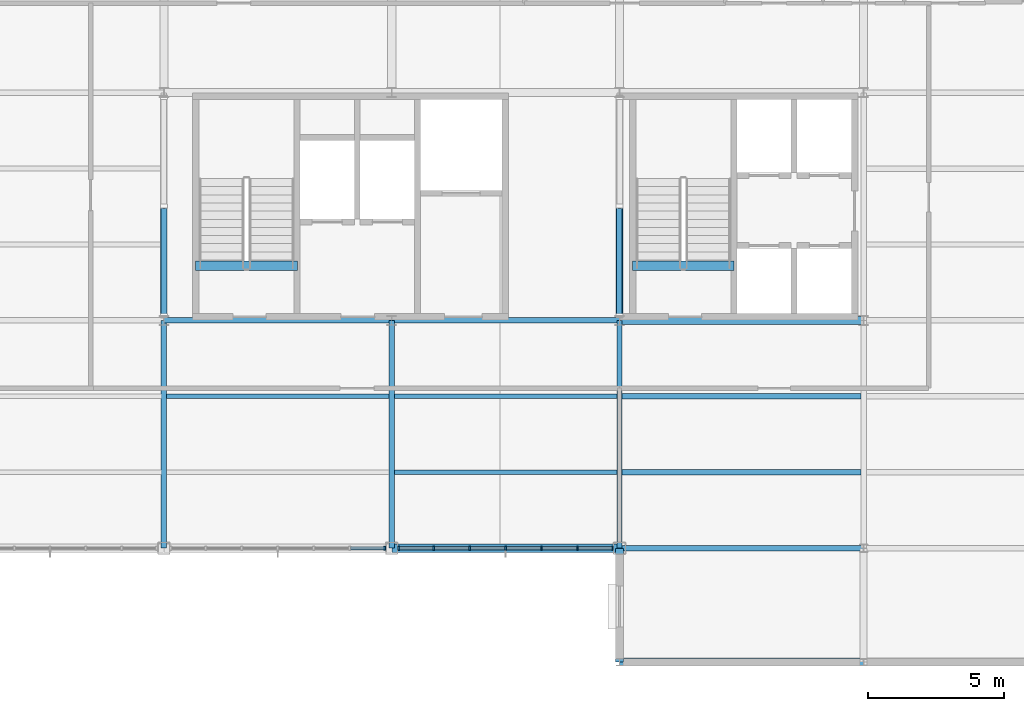
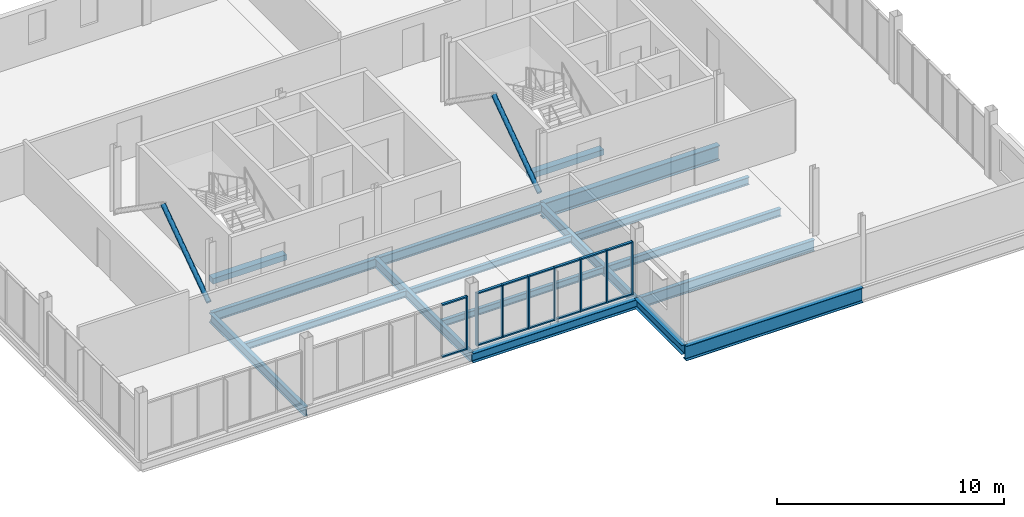
# One storey, part 5 of 16: 24 members, 17 beams, 2 elements without a shape of their own.
"""IFC4 building model written with IfcOpenShell, lengths in metres."""

from ifc_helpers import new_model, si_unit, direction, frame, origin, origin_2d, place, context, subcontext, project, spatial, rectangle, hollow_circle, i_section, extrude, material, layer, layer_set, material_profile, profile_set, type_object, element, aggregate, save


model = new_model("IFC4")

# Units and contexts
model_context = context("Model", 3, precision=1e-05, world=origin(), true_north=direction((0.0, 1.0)))
body_context = subcontext(model_context, "Body", "Model", "MODEL_VIEW")
ifc_project = project(units=[si_unit("LENGTHUNIT", "METRE"), si_unit("AREAUNIT", "SQUARE_METRE"), si_unit("VOLUMEUNIT", "CUBIC_METRE"), si_unit("PLANEANGLEUNIT", "RADIAN"), si_unit("MASSUNIT", "GRAM", prefix="KILO")], contexts=[model_context])

# Site, building, storey
site_placement = place(None, origin())
site = spatial("IfcSite", under=ifc_project, at=site_placement, CompositionType="ELEMENT")
building_placement = place(site_placement, origin())
building = spatial("IfcBuilding", under=site, at=building_placement, Name="Yukiwa Park Conservatory and Herbarium", CompositionType="ELEMENT")
storey_placement = place(building_placement, frame((0.0, 0.0, 43.199951171875)))
storey = spatial("IfcBuildingStorey", under=building, at=storey_placement, Name="L11", CompositionType="ELEMENT", Elevation=43.199951171875)

# Beams
ifc_material_1 = material(Name="Steel Q355D", Category="steel")
ifc_material_profile_1 = material_profile(ifc_material_1, i_section(OverallWidth=0.199951171875, OverallDepth=0.5, WebThickness=0.010009765625, FlangeThickness=0.01611328125, FilletRadius=0.02001953125, at=origin_2d()), Name="HN 500x200x10x16")
ifc_profile_set_1 = profile_set([ifc_material_profile_1], Name="Steel Q355D")
beam_type_1 = type_object("IfcBeamType", Name="BM-GRD-HN500", PredefinedType="BEAM", material=ifc_profile_set_1)
for number, where, z_axis, x_axis, name in (
    (1, (133.2060546875, 94.800048828125, -0.508056640625), (1.0, 0.0, 0.0), (0.0, 1.0, 0.0), "L11 grid beam X-9"),
    (2, (141.60595703125, 94.800048828125, -0.508056640625), (1.0, 0.0, 0.0), (0.0, 1.0, 0.0), "L11 grid beam X-10"),
    (3, (133.199951171875, 86.406005859375, -0.508056640625), (0.0, 1.0, 0.0), (-1.0, 0.0, 0.0), "L11 grid girder Y-26"),
    (4, (141.60009765625, 86.406005859375, -0.508056640625), (0.0, 1.0, 0.0), (-1.0, 0.0, 0.0), "L11 grid girder Y-29"),
    (5, (150.0, 86.406005859375, -0.508056640625), (0.0, 1.0, 0.0), (-1.0, 0.0, 0.0), "L11 grid girder Y-32"),
):
    element("IfcBeam", number, at=place(storey_placement, frame(where, z_axis=z_axis, x_axis=x_axis)), inside=storey, type_object=beam_type_1, Name=name, PredefinedType="BEAM", context=body_context, shape_type="SweptSolid", body=[
        extrude(i_section(OverallWidth=0.199951171875, OverallDepth=0.5, WebThickness=0.010009765625, FlangeThickness=0.01611328125, FilletRadius=0.02001953125, at=origin_2d()), origin(), (0.0, 0.0, 1.0), 8.387939453125),
    ])
ifc_material_2 = material(Name="Steel Q355D", Category="steel")
ifc_material_profile_2 = material_profile(ifc_material_2, i_section(OverallWidth=0.198974609375, OverallDepth=0.595947265625, WebThickness=0.010009765625, FlangeThickness=0.014892578125, FilletRadius=0.02197265625, at=origin_2d()), Name="HN 596x199x10x15")
ifc_profile_set_2 = profile_set([ifc_material_profile_2], Name="Steel Q355D")
beam_type_2 = type_object("IfcBeamType", Name="BM-GRD-HN596", PredefinedType="BEAM", material=ifc_profile_set_2)
beam_1_placement = place(storey_placement, frame((150.006103515625, 86.39990234375, -0.555908203125), z_axis=(1.0, 0.0, 0.0), x_axis=(0.0, 1.0, 0.0)))
element("IfcBeam", 6, at=beam_1_placement, inside=storey, type_object=beam_type_2, Name="L11 grid beam X-6", PredefinedType="BEAM", context=body_context, shape_type="SweptSolid", body=[
    extrude(i_section(OverallWidth=0.198974609375, OverallDepth=0.595947265625, WebThickness=0.010009765625, FlangeThickness=0.014892578125, FilletRadius=0.02197265625, at=origin_2d()), origin(), (0.0, 0.0, 1.0), 8.98779296875),
])
ifc_material_3 = material(Name="Steel Q355D", Category="steel")
ifc_material_profile_3 = material_profile(ifc_material_3, i_section(OverallWidth=0.175048828125, OverallDepth=0.35009765625, WebThickness=0.007080078125, FlangeThickness=0.010986328125, FilletRadius=0.013916015625, at=origin_2d()), Name="HN 350x175x7x11")
ifc_profile_set_3 = profile_set([ifc_material_profile_3], Name="Steel Q355D")
beam_type_3 = type_object("IfcBeamType", Name="BM-JST-HN350", PredefinedType="JOIST", material=ifc_profile_set_3)
for number, where, z_axis, x_axis, name in (
    (7, (133.2958984375, 92.0, -0.432861328125), (1.0, 0.0, 0.0), (0.0, 1.0, 0.0), "L11 composite floor joist 8"),
    (8, (141.696044921875, 89.199951171875, -0.432861328125), (1.0, 0.0, 0.0), (0.0, 1.0, 0.0), "L11 composite floor joist 11"),
    (9, (141.696044921875, 92.0, -0.432861328125), (1.0, 0.0, 0.0), (0.0, 1.0, 0.0), "L11 composite floor joist 12"),
):
    element("IfcBeam", number, at=place(storey_placement, frame(where, z_axis=z_axis, x_axis=x_axis)), inside=storey, type_object=beam_type_3, Name=name, PredefinedType="JOIST", context=body_context, shape_type="SweptSolid", body=[
        extrude(i_section(OverallWidth=0.175048828125, OverallDepth=0.35009765625, WebThickness=0.007080078125, FlangeThickness=0.010986328125, FilletRadius=0.013916015625, at=origin_2d()), origin(), (0.0, 0.0, 1.0), 8.2080078125),
    ])
ifc_material_4 = material(Name="Steel Q355D", Category="steel")
ifc_material_profile_4 = material_profile(ifc_material_4, i_section(OverallWidth=0.199951171875, OverallDepth=0.39990234375, WebThickness=0.008056640625, FlangeThickness=0.012939453125, FilletRadius=0.01611328125, at=origin_2d()), Name="HN 400x200x8x13")
ifc_profile_set_4 = profile_set([ifc_material_profile_4], Name="Steel Q355D")
beam_type_4 = type_object("IfcBeamType", Name="BM-JST-HN400", PredefinedType="JOIST", material=ifc_profile_set_4)
for number, where, z_axis, x_axis, name in (
    (10, (150.095947265625, 89.199951171875, -0.4580078125), (1.0, 0.0, 0.0), (0.0, 1.0, 0.0), "L11 composite floor joist 15"),
    (11, (150.095947265625, 92.0, -0.4580078125), (1.0, 0.0, 0.0), (0.0, 1.0, 0.0), "L11 composite floor joist 16"),
):
    element("IfcBeam", number, at=place(storey_placement, frame(where, z_axis=z_axis, x_axis=x_axis)), inside=storey, type_object=beam_type_4, Name=name, PredefinedType="JOIST", context=body_context, shape_type="SweptSolid", body=[
        extrude(i_section(OverallWidth=0.199951171875, OverallDepth=0.39990234375, WebThickness=0.008056640625, FlangeThickness=0.012939453125, FilletRadius=0.01611328125, at=origin_2d()), origin(), (0.0, 0.0, 1.0), 8.80810546875),
    ])
ifc_material_5 = material(Name="Steel Q355D", Category="steel")
ifc_material_profile_5 = material_profile(ifc_material_5, i_section(OverallWidth=0.300048828125, OverallDepth=0.493896484375, WebThickness=0.010986328125, FlangeThickness=0.014892578125, FilletRadius=0.02392578125, at=origin_2d()), Name="HM 494x300x11x15")
ifc_profile_set_5 = profile_set([ifc_material_profile_5], Name="Steel Q355D")
beam_type_5 = type_object("IfcBeamType", Name="BM-SPN-HN450", PredefinedType="SPANDREL", material=ifc_profile_set_5)
beam_2_placement = place(storey_placement, frame((150.0, 82.2060546875, -0.5048828125), z_axis=(0.0, 1.0, 0.0), x_axis=(-1.0, 0.0, 0.0)))
element("IfcBeam", 12, at=beam_2_placement, inside=storey, type_object=beam_type_5, Name="L11 spandrel girder Y-31", PredefinedType="SPANDREL", context=body_context, shape_type="SweptSolid", body=[
    extrude(i_section(OverallWidth=0.300048828125, OverallDepth=0.493896484375, WebThickness=0.010986328125, FlangeThickness=0.014892578125, FilletRadius=0.02392578125, at=origin_2d()), origin(), (0.0, 0.0, 1.0), 4.18798828125),
])
ifc_material_6 = material(Name="Steel Q355D", Category="steel")
ifc_material_profile_6 = material_profile(ifc_material_6, i_section(OverallWidth=0.300048828125, OverallDepth=0.5, WebThickness=0.010986328125, FlangeThickness=0.01806640625, FilletRadius=0.02392578125, at=origin_2d()), Name="HM 500x300x11x18")
ifc_profile_set_6 = profile_set([ifc_material_profile_6], Name="Steel Q355D")
beam_type_6 = type_object("IfcBeamType", Name="BM-SPN-HN500", PredefinedType="SPANDREL", material=ifc_profile_set_6)
beam_3_placement = place(storey_placement, frame((141.60595703125, 86.39990234375, -0.508056640625), z_axis=(1.0, 0.0, 0.0), x_axis=(0.0, 1.0, 0.0)))
element("IfcBeam", 13, at=beam_3_placement, inside=storey, type_object=beam_type_6, Name="L11 spandrel beam X-5", PredefinedType="SPANDREL", context=body_context, shape_type="SweptSolid", body=[
    extrude(i_section(OverallWidth=0.300048828125, OverallDepth=0.5, WebThickness=0.010986328125, FlangeThickness=0.01806640625, FilletRadius=0.02392578125, at=origin_2d()), origin(), (0.0, 0.0, 1.0), 8.387939453125),
])
ifc_material_7 = material(Name="Steel Q355D", Category="steel")
ifc_material_profile_7 = material_profile(ifc_material_7, i_section(OverallWidth=0.300048828125, OverallDepth=0.7919921875, WebThickness=0.013916015625, FlangeThickness=0.02197265625, FilletRadius=0.028076171875, at=origin_2d()), Name="HN 792x300x14x22")
ifc_profile_set_7 = profile_set([ifc_material_profile_7], Name="Steel Q355D")
beam_type_7 = type_object("IfcBeamType", Name="BM-SPN-HN600", PredefinedType="SPANDREL", material=ifc_profile_set_7)
for number, where, z_axis, x_axis, name in (
    (14, (150.006103515625, 82.199951171875, -0.654052734375), (1.0, 0.0, 0.0), (0.0, 1.0, 0.0), "L11 spandrel beam X-1"),
    (15, (150.006103515625, 94.800048828125, -0.654052734375), (1.0, 0.0, 0.0), (0.0, 1.0, 0.0), "L11 spandrel beam X-11"),
):
    element("IfcBeam", number, at=place(storey_placement, frame(where, z_axis=z_axis, x_axis=x_axis)), inside=storey, type_object=beam_type_7, Name=name, PredefinedType="SPANDREL", context=body_context, shape_type="SweptSolid", body=[
        extrude(i_section(OverallWidth=0.300048828125, OverallDepth=0.7919921875, WebThickness=0.013916015625, FlangeThickness=0.02197265625, FilletRadius=0.028076171875, at=origin_2d()), origin(), (0.0, 0.0, 1.0), 8.98779296875),
    ])
ifc_material_8 = material(Name="Concrete C40", Category="concrete")
ifc_material_profile_8 = material_profile(ifc_material_8, rectangle(XDim=0.35009765625, YDim=0.300048828125, at=origin_2d()), Name="RC 350x300")
ifc_profile_set_8 = profile_set([ifc_material_profile_8], Name="Concrete C40")
beam_type_8 = type_object("IfcBeamType", Name="BM-STAIR-TRIM", PredefinedType="BEAM", material=ifc_profile_set_8)
for number, where, z_axis, x_axis, name in (
    (16, (134.3701171875, 96.81005859375, -0.14990234375), (1.0, 0.0, 0.0), (0.0, 1.0, 0.0), "Stair ST-T1 L11 landing trimmer beam"),
    (17, (150.47998046875, 96.81005859375, -0.14990234375), (1.0, 0.0, 0.0), (0.0, 1.0, 0.0), "Stair ST-T2 L11 landing trimmer beam"),
):
    element("IfcBeam", number, at=place(storey_placement, frame(where, z_axis=z_axis, x_axis=x_axis)), inside=storey, type_object=beam_type_8, Name=name, PredefinedType="BEAM", context=body_context, shape_type="SweptSolid", body=[
        extrude(rectangle(XDim=0.35009765625, YDim=0.300048828125, at=origin_2d()), origin(), (0.0, 0.0, 1.0), 3.75),
    ])

# Members
ifc_material_9 = material(Name="Steel Q355D", Category="steel")
ifc_material_profile_9 = material_profile(ifc_material_9, hollow_circle(Radius=0.122314453125, WallThickness=0.010009765625, at=origin_2d()), Name="CHS 244.5x10")
ifc_profile_set_9 = profile_set([ifc_material_profile_9], Name="Steel Q355D")
member_type_1 = type_object("IfcMemberType", Name="MB-BR-CHS245", PredefinedType="BRACE", material=ifc_profile_set_9)
for number, where, z_axis, x_axis, name in (
    (18, (133.199951171875, 94.970458984375, 0.168701171875), (0.0, 0.820222935008, 0.572043999083), (-1.0, 0.0, 0.0), "L11 concentric chevron brace 57"),
    (19, (150.0, 94.970458984375, 0.168701171875), (0.0, 0.820222935008, 0.572043999083), (-1.0, 0.0, 0.0), "L11 concentric chevron brace 59"),
):
    element("IfcMember", number, at=place(storey_placement, frame(where, z_axis=z_axis, x_axis=x_axis)), inside=storey, type_object=member_type_1, Name=name, PredefinedType="BRACE", context=body_context, shape_type="SweptSolid", body=[
        extrude(hollow_circle(Radius=0.122314453125, WallThickness=0.010009765625, at=origin_2d()), origin(), (0.0, 0.0, 1.0), 4.912841796875),
    ])

# Curtain wall, member
ifc_material_10 = material(Name="Triple Low-E Insulated Glass", Category="glass")
ifc_layer = layer(ifc_material_10, 0.248046875)
ifc_layer_set = layer_set([ifc_layer], Name="Triple Low-E Insulated Glass")
curtain_wall_type = type_object("IfcCurtainWallType", Name="CW-TOWER-LAB-S-1400", PredefinedType="NOTDEFINED", material=ifc_layer_set)
curtain_wall_1_placement = place(storey_placement, origin())
curtain_wall_1 = element("IfcCurtainWall", 20, at=curtain_wall_1_placement, inside=storey, type_object=curtain_wall_type, Name="L11 unitised curtain wall CW-L11-117", PredefinedType="NOTDEFINED")
ifc_material_11 = material(Name="Anodised Aluminium", Category="aluminium")
member_type_2 = type_object("IfcMemberType", Name="MB-CW-MUL-70X150", PredefinedType="MULLION", material=ifc_material_11)
member_1_placement = place(storey_placement, frame((141.340087890625, 86.39990234375, 0.0), z_axis=(0.0, 0.0, 1.0), x_axis=(1.0, 0.0, 0.0)))
member_1 = element("IfcMember", 21, at=member_1_placement, type_object=member_type_2, Name="CW-L11-117 mullion 7", PredefinedType="MULLION", context=body_context, shape_type="SweptSolid", body=[
    extrude(rectangle(XDim=0.070068359375, YDim=0.14990234375, at=origin_2d()), origin(), (0.0, 0.0, 1.0), 2.85400390625),
])

# Curtain wall, members
curtain_wall_2_placement = place(storey_placement, origin())
curtain_wall_2 = element("IfcCurtainWall", 22, at=curtain_wall_2_placement, inside=storey, type_object=curtain_wall_type, Name="L11 unitised curtain wall CW-L11-118", PredefinedType="NOTDEFINED")
member_2_placement = place(storey_placement, frame((141.860107421875, 86.39990234375, 0.0), z_axis=(0.0, 0.0, 1.0), x_axis=(1.0, 0.0, 0.0)))
member_2 = element("IfcMember", 23, at=member_2_placement, type_object=member_type_2, Name="CW-L11-118 mullion 1", PredefinedType="MULLION", context=body_context, shape_type="SweptSolid", body=[
    extrude(rectangle(XDim=0.070068359375, YDim=0.14990234375, at=origin_2d()), origin(), (0.0, 0.0, 1.0), 2.85400390625),
])
member_3_placement = place(storey_placement, frame((143.14990234375, 86.39990234375, 0.0), z_axis=(0.0, 0.0, 1.0), x_axis=(1.0, 0.0, 0.0)))
member_3 = element("IfcMember", 24, at=member_3_placement, type_object=member_type_2, Name="CW-L11-118 mullion 2", PredefinedType="MULLION", context=body_context, shape_type="SweptSolid", body=[
    extrude(rectangle(XDim=0.070068359375, YDim=0.14990234375, at=origin_2d()), origin(), (0.0, 0.0, 1.0), 2.85400390625),
])
member_4_placement = place(storey_placement, frame((144.47509765625, 86.39990234375, 0.0), z_axis=(0.0, 0.0, 1.0), x_axis=(1.0, 0.0, 0.0)))
member_4 = element("IfcMember", 25, at=member_4_placement, type_object=member_type_2, Name="CW-L11-118 mullion 3", PredefinedType="MULLION", context=body_context, shape_type="SweptSolid", body=[
    extrude(rectangle(XDim=0.070068359375, YDim=0.14990234375, at=origin_2d()), origin(), (0.0, 0.0, 1.0), 2.85400390625),
])
member_5_placement = place(storey_placement, frame((145.800048828125, 86.39990234375, 0.0), z_axis=(0.0, 0.0, 1.0), x_axis=(1.0, 0.0, 0.0)))
member_5 = element("IfcMember", 26, at=member_5_placement, type_object=member_type_2, Name="CW-L11-118 mullion 4", PredefinedType="MULLION", context=body_context, shape_type="SweptSolid", body=[
    extrude(rectangle(XDim=0.070068359375, YDim=0.14990234375, at=origin_2d()), origin(), (0.0, 0.0, 1.0), 2.85400390625),
])
member_6_placement = place(storey_placement, frame((147.125, 86.39990234375, 0.0), z_axis=(0.0, 0.0, 1.0), x_axis=(1.0, 0.0, 0.0)))
member_6 = element("IfcMember", 27, at=member_6_placement, type_object=member_type_2, Name="CW-L11-118 mullion 5", PredefinedType="MULLION", context=body_context, shape_type="SweptSolid", body=[
    extrude(rectangle(XDim=0.070068359375, YDim=0.14990234375, at=origin_2d()), origin(), (0.0, 0.0, 1.0), 2.85400390625),
])
member_7_placement = place(storey_placement, frame((148.449951171875, 86.39990234375, 0.0), z_axis=(0.0, 0.0, 1.0), x_axis=(1.0, 0.0, 0.0)))
member_7 = element("IfcMember", 28, at=member_7_placement, type_object=member_type_2, Name="CW-L11-118 mullion 6", PredefinedType="MULLION", context=body_context, shape_type="SweptSolid", body=[
    extrude(rectangle(XDim=0.070068359375, YDim=0.14990234375, at=origin_2d()), origin(), (0.0, 0.0, 1.0), 2.85400390625),
])
member_8_placement = place(storey_placement, frame((149.739990234375, 86.39990234375, 0.0), z_axis=(0.0, 0.0, 1.0), x_axis=(1.0, 0.0, 0.0)))
member_8 = element("IfcMember", 29, at=member_8_placement, type_object=member_type_2, Name="CW-L11-118 mullion 7", PredefinedType="MULLION", context=body_context, shape_type="SweptSolid", body=[
    extrude(rectangle(XDim=0.070068359375, YDim=0.14990234375, at=origin_2d()), origin(), (0.0, 0.0, 1.0), 2.85400390625),
])

# Member
ifc_material_12 = material(Name="Anodised Aluminium", Category="aluminium")
member_type_3 = type_object("IfcMemberType", Name="MB-CW-TRN-70X130", PredefinedType="USERDEFINED", material=ifc_material_12)
member_9_placement = place(storey_placement, frame((140.71240234375, 86.39990234375, 0.0), z_axis=(0.0, 0.0, 1.0), x_axis=(1.0, 0.0, 0.0)))
member_9 = element("IfcMember", 30, at=member_9_placement, type_object=member_type_3, Name="CW-L11-117 transom 6.1", ObjectType="TRANSOM", PredefinedType="USERDEFINED", context=body_context, shape_type="SweptSolid", body=[
    extrude(rectangle(XDim=1.2548828125, YDim=0.1298828125, at=origin_2d()), origin(), (0.0, 0.0, 1.0), 0.070068359375),
])

member_10_placement = place(storey_placement, frame((140.71240234375, 86.39990234375, 2.7841796875), z_axis=(0.0, 0.0, 1.0), x_axis=(1.0, 0.0, 0.0)))
member_10 = element("IfcMember", 31, at=member_10_placement, type_object=member_type_3, Name="CW-L11-117 transom 6.2", ObjectType="TRANSOM", PredefinedType="USERDEFINED", context=body_context, shape_type="SweptSolid", body=[
    extrude(rectangle(XDim=1.2548828125, YDim=0.1298828125, at=origin_2d()), origin(), (0.0, 0.0, 1.0), 0.070068359375),
])

aggregate(curtain_wall_1, [member_1, member_9, member_10])

member_11_placement = place(storey_placement, frame((142.487548828125, 86.39990234375, 0.0), z_axis=(0.0, 0.0, 1.0), x_axis=(1.0, 0.0, 0.0)))
member_11 = element("IfcMember", 32, at=member_11_placement, type_object=member_type_3, Name="CW-L11-118 transom 1.1", ObjectType="TRANSOM", PredefinedType="USERDEFINED", context=body_context, shape_type="SweptSolid", body=[
    extrude(rectangle(XDim=1.2548828125, YDim=0.1298828125, at=origin_2d()), origin(), (0.0, 0.0, 1.0), 0.070068359375),
])

member_12_placement = place(storey_placement, frame((142.487548828125, 86.39990234375, 2.7841796875), z_axis=(0.0, 0.0, 1.0), x_axis=(1.0, 0.0, 0.0)))
member_12 = element("IfcMember", 33, at=member_12_placement, type_object=member_type_3, Name="CW-L11-118 transom 1.2", ObjectType="TRANSOM", PredefinedType="USERDEFINED", context=body_context, shape_type="SweptSolid", body=[
    extrude(rectangle(XDim=1.2548828125, YDim=0.1298828125, at=origin_2d()), origin(), (0.0, 0.0, 1.0), 0.070068359375),
])

member_13_placement = place(storey_placement, frame((143.8125, 86.39990234375, 0.0), z_axis=(0.0, 0.0, 1.0), x_axis=(1.0, 0.0, 0.0)))
member_13 = element("IfcMember", 34, at=member_13_placement, type_object=member_type_3, Name="CW-L11-118 transom 2.1", ObjectType="TRANSOM", PredefinedType="USERDEFINED", context=body_context, shape_type="SweptSolid", body=[
    extrude(rectangle(XDim=1.2548828125, YDim=0.1298828125, at=origin_2d()), origin(), (0.0, 0.0, 1.0), 0.070068359375),
])

member_14_placement = place(storey_placement, frame((143.8125, 86.39990234375, 2.7841796875), z_axis=(0.0, 0.0, 1.0), x_axis=(1.0, 0.0, 0.0)))
member_14 = element("IfcMember", 35, at=member_14_placement, type_object=member_type_3, Name="CW-L11-118 transom 2.2", ObjectType="TRANSOM", PredefinedType="USERDEFINED", context=body_context, shape_type="SweptSolid", body=[
    extrude(rectangle(XDim=1.2548828125, YDim=0.1298828125, at=origin_2d()), origin(), (0.0, 0.0, 1.0), 0.070068359375),
])

member_15_placement = place(storey_placement, frame((145.137451171875, 86.39990234375, 0.0), z_axis=(0.0, 0.0, 1.0), x_axis=(1.0, 0.0, 0.0)))
member_15 = element("IfcMember", 36, at=member_15_placement, type_object=member_type_3, Name="CW-L11-118 transom 3.1", ObjectType="TRANSOM", PredefinedType="USERDEFINED", context=body_context, shape_type="SweptSolid", body=[
    extrude(rectangle(XDim=1.2548828125, YDim=0.1298828125, at=origin_2d()), origin(), (0.0, 0.0, 1.0), 0.070068359375),
])

member_16_placement = place(storey_placement, frame((145.137451171875, 86.39990234375, 2.7841796875), z_axis=(0.0, 0.0, 1.0), x_axis=(1.0, 0.0, 0.0)))
member_16 = element("IfcMember", 37, at=member_16_placement, type_object=member_type_3, Name="CW-L11-118 transom 3.2", ObjectType="TRANSOM", PredefinedType="USERDEFINED", context=body_context, shape_type="SweptSolid", body=[
    extrude(rectangle(XDim=1.2548828125, YDim=0.1298828125, at=origin_2d()), origin(), (0.0, 0.0, 1.0), 0.070068359375),
])

member_17_placement = place(storey_placement, frame((146.46240234375, 86.39990234375, 0.0), z_axis=(0.0, 0.0, 1.0), x_axis=(1.0, 0.0, 0.0)))
member_17 = element("IfcMember", 38, at=member_17_placement, type_object=member_type_3, Name="CW-L11-118 transom 4.1", ObjectType="TRANSOM", PredefinedType="USERDEFINED", context=body_context, shape_type="SweptSolid", body=[
    extrude(rectangle(XDim=1.2548828125, YDim=0.1298828125, at=origin_2d()), origin(), (0.0, 0.0, 1.0), 0.070068359375),
])

member_18_placement = place(storey_placement, frame((146.46240234375, 86.39990234375, 2.7841796875), z_axis=(0.0, 0.0, 1.0), x_axis=(1.0, 0.0, 0.0)))
member_18 = element("IfcMember", 39, at=member_18_placement, type_object=member_type_3, Name="CW-L11-118 transom 4.2", ObjectType="TRANSOM", PredefinedType="USERDEFINED", context=body_context, shape_type="SweptSolid", body=[
    extrude(rectangle(XDim=1.2548828125, YDim=0.1298828125, at=origin_2d()), origin(), (0.0, 0.0, 1.0), 0.070068359375),
])

member_19_placement = place(storey_placement, frame((147.78759765625, 86.39990234375, 0.0), z_axis=(0.0, 0.0, 1.0), x_axis=(1.0, 0.0, 0.0)))
member_19 = element("IfcMember", 40, at=member_19_placement, type_object=member_type_3, Name="CW-L11-118 transom 5.1", ObjectType="TRANSOM", PredefinedType="USERDEFINED", context=body_context, shape_type="SweptSolid", body=[
    extrude(rectangle(XDim=1.2548828125, YDim=0.1298828125, at=origin_2d()), origin(), (0.0, 0.0, 1.0), 0.070068359375),
])

member_20_placement = place(storey_placement, frame((147.78759765625, 86.39990234375, 2.7841796875), z_axis=(0.0, 0.0, 1.0), x_axis=(1.0, 0.0, 0.0)))
member_20 = element("IfcMember", 41, at=member_20_placement, type_object=member_type_3, Name="CW-L11-118 transom 5.2", ObjectType="TRANSOM", PredefinedType="USERDEFINED", context=body_context, shape_type="SweptSolid", body=[
    extrude(rectangle(XDim=1.2548828125, YDim=0.1298828125, at=origin_2d()), origin(), (0.0, 0.0, 1.0), 0.070068359375),
])

member_21_placement = place(storey_placement, frame((149.112548828125, 86.39990234375, 0.0), z_axis=(0.0, 0.0, 1.0), x_axis=(1.0, 0.0, 0.0)))
member_21 = element("IfcMember", 42, at=member_21_placement, type_object=member_type_3, Name="CW-L11-118 transom 6.1", ObjectType="TRANSOM", PredefinedType="USERDEFINED", context=body_context, shape_type="SweptSolid", body=[
    extrude(rectangle(XDim=1.2548828125, YDim=0.1298828125, at=origin_2d()), origin(), (0.0, 0.0, 1.0), 0.070068359375),
])

member_22_placement = place(storey_placement, frame((149.112548828125, 86.39990234375, 2.7841796875), z_axis=(0.0, 0.0, 1.0), x_axis=(1.0, 0.0, 0.0)))
member_22 = element("IfcMember", 43, at=member_22_placement, type_object=member_type_3, Name="CW-L11-118 transom 6.2", ObjectType="TRANSOM", PredefinedType="USERDEFINED", context=body_context, shape_type="SweptSolid", body=[
    extrude(rectangle(XDim=1.2548828125, YDim=0.1298828125, at=origin_2d()), origin(), (0.0, 0.0, 1.0), 0.070068359375),
])

aggregate(curtain_wall_2, [member_2, member_3, member_4, member_5, member_6, member_7, member_8, member_11, member_12, member_13, member_14, member_15, member_16, member_17, member_18, member_19, member_20, member_21, member_22])

save(model, "model.ifc")
